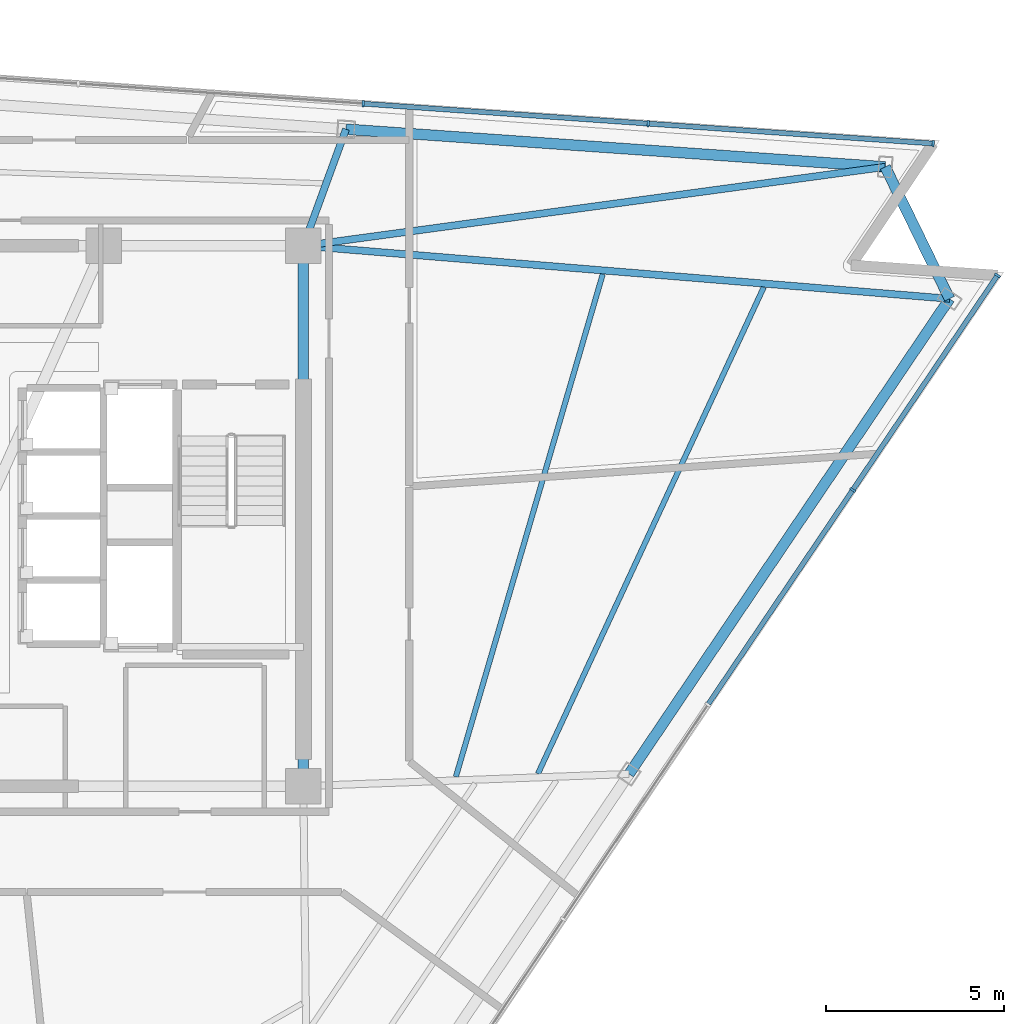
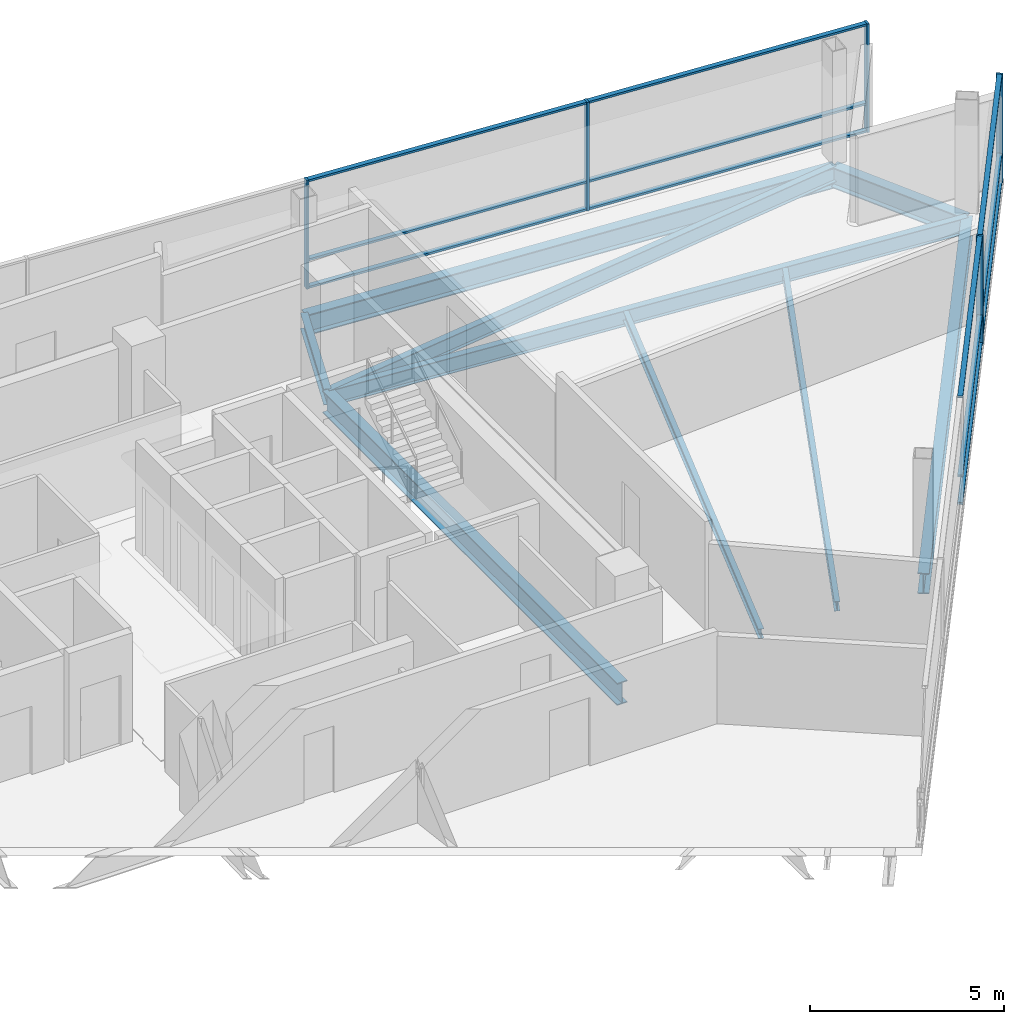
# One storey, part 7 of 14: 17 members, 9 beams, 2 elements without a shape of their own.
"""IFC4 building model written with IfcOpenShell, lengths in metres."""

from ifc_helpers import new_model, si_unit, direction, frame, origin, origin_2d, place, context, subcontext, project, spatial, rectangle, i_section, extrude, material, layer, layer_set, material_profile, profile_set, type_object, element, aggregate, save


model = new_model("IFC4")

# Units and contexts
model_context = context("Model", 3, precision=1e-05, world=origin(), true_north=direction((0.0, 1.0)))
body_context = subcontext(model_context, "Body", "Model", "MODEL_VIEW")
ifc_project = project(units=[si_unit("LENGTHUNIT", "METRE"), si_unit("AREAUNIT", "SQUARE_METRE"), si_unit("VOLUMEUNIT", "CUBIC_METRE"), si_unit("PLANEANGLEUNIT", "RADIAN"), si_unit("MASSUNIT", "GRAM", prefix="KILO")], contexts=[model_context])

# Site, building, storey
site_placement = place(None, origin())
site = spatial("IfcSite", under=ifc_project, at=site_placement, CompositionType="ELEMENT")
building_placement = place(site_placement, origin())
building = spatial("IfcBuilding", under=site, at=building_placement, Name="Tharavind Bronze Gate", CompositionType="ELEMENT")
storey_placement = place(building_placement, frame((0.0, 0.0, 245.050048828125)))
storey = spatial("IfcBuildingStorey", under=building, at=storey_placement, Name="L63", CompositionType="ELEMENT", Elevation=245.050048828125)

# Curtain wall, members
ifc_material_1 = material(Name="Anodised Bronze Aluminium", Category="aluminium")
ifc_layer = layer(ifc_material_1, 0.219970703125)
ifc_layer_set = layer_set([ifc_layer], Name="Anodised Bronze Aluminium")
curtain_wall_type = type_object("IfcCurtainWallType", Name="UNITISED CURTAIN WALL UPPER OFFICE", PredefinedType="USERDEFINED", material=ifc_layer_set)
curtain_wall_1_placement = place(storey_placement, origin())
curtain_wall_1 = element("IfcCurtainWall", 1, at=curtain_wall_1_placement, inside=storey, type_object=curtain_wall_type, Name="L63 unitised curtain wall upper office CW-L63-S2", ObjectType="UNITISED CURTAIN WALL", PredefinedType="USERDEFINED")
member_type_1 = type_object("IfcMemberType", Name="CURTAIN WALL BRONZE MULLION 65X180", PredefinedType="MULLION", material=ifc_material_1)
member_1_placement = place(storey_placement, frame((24.35791015625, 0.732177734375, 0.0), z_axis=(0.0, 0.0, 1.0), x_axis=(0.559192903471, 0.829037572555, 0.0)))
member_1 = element("IfcMember", 2, at=member_1_placement, type_object=member_type_1, Name="CW-L63-S2 mullion 7", PredefinedType="MULLION", context=body_context, shape_type="SweptSolid", body=[
    extrude(rectangle(XDim=0.06494140625, YDim=0.179931640625, at=origin_2d()), origin(), (0.0, 0.0, 1.0), 3.419921875),
])
member_2_placement = place(storey_placement, frame((28.430419921875, 6.77001953125, 0.0), z_axis=(0.0, 0.0, 1.0), x_axis=(0.559192903471, 0.829037572555, 0.0)))
member_2 = element("IfcMember", 3, at=member_2_placement, type_object=member_type_1, Name="CW-L63-S2 mullion 8", PredefinedType="MULLION", context=body_context, shape_type="SweptSolid", body=[
    extrude(rectangle(XDim=0.06494140625, YDim=0.179931640625, at=origin_2d()), origin(), (0.0, 0.0, 1.0), 3.419921875),
])

curtain_wall_2_placement = place(storey_placement, origin())
curtain_wall_2 = element("IfcCurtainWall", 4, at=curtain_wall_2_placement, inside=storey, type_object=curtain_wall_type, Name="L63 unitised curtain wall upper office CW-L63-S3", ObjectType="UNITISED CURTAIN WALL", PredefinedType="USERDEFINED")
member_3_placement = place(storey_placement, frame((26.620849609375, 10.480224609375, 0.0), z_axis=(0.0, 0.0, 1.0), x_axis=(-0.99756392851, 0.069758214822, 0.0)))
member_3 = element("IfcMember", 5, at=member_3_placement, type_object=member_type_1, Name="CW-L63-S3 mullion 1", PredefinedType="MULLION", context=body_context, shape_type="SweptSolid", body=[
    extrude(rectangle(XDim=0.06494140625, YDim=0.179931640625, at=origin_2d()), origin(), (0.0, 0.0, 1.0), 3.419921875),
])
member_4_placement = place(storey_placement, frame((18.602294921875, 11.041015625, 0.0), z_axis=(0.0, 0.0, 1.0), x_axis=(-0.99756392851, 0.069758214822, 0.0)))
member_4 = element("IfcMember", 6, at=member_4_placement, type_object=member_type_1, Name="CW-L63-S3 mullion 2", PredefinedType="MULLION", context=body_context, shape_type="SweptSolid", body=[
    extrude(rectangle(XDim=0.06494140625, YDim=0.179931640625, at=origin_2d()), origin(), (0.0, 0.0, 1.0), 3.419921875),
])
member_5_placement = place(storey_placement, frame((10.583984375, 11.6015625, 0.0), z_axis=(0.0, 0.0, 1.0), x_axis=(-0.99756392851, 0.069758214822, 0.0)))
member_5 = element("IfcMember", 7, at=member_5_placement, type_object=member_type_1, Name="CW-L63-S3 mullion 3", PredefinedType="MULLION", context=body_context, shape_type="SweptSolid", body=[
    extrude(rectangle(XDim=0.06494140625, YDim=0.179931640625, at=origin_2d()), origin(), (0.0, 0.0, 1.0), 3.419921875),
])

# Member
member_type_2 = type_object("IfcMemberType", Name="CURTAIN WALL BRONZE TRANSOM 65X140", PredefinedType="USERDEFINED", material=ifc_material_1)
member_6_placement = place(storey_placement, frame((22.321533203125, -2.28662109375, 0.0), z_axis=(0.0, 0.0, 1.0), x_axis=(0.559192903471, 0.829037572555, 0.0)))
member_6 = element("IfcMember", 8, at=member_6_placement, type_object=member_type_2, Name="CW-L63-S2 transom TB6", ObjectType="TRANSOM", PredefinedType="USERDEFINED", context=body_context, shape_type="SweptSolid", body=[
    extrude(rectangle(XDim=7.22998046875, YDim=0.139892578125, at=origin_2d()), origin(), (0.0, 0.0, 1.0), 0.06494140625),
])

member_7_placement = place(storey_placement, frame((22.321533203125, -2.28662109375, 0.867431640625), z_axis=(0.0, 0.0, 1.0), x_axis=(0.559192903471, 0.829037572555, 0.0)))
member_7 = element("IfcMember", 9, at=member_7_placement, type_object=member_type_2, Name="CW-L63-S2 transom TS6", ObjectType="TRANSOM", PredefinedType="USERDEFINED", context=body_context, shape_type="SweptSolid", body=[
    extrude(rectangle(XDim=7.22998046875, YDim=0.139892578125, at=origin_2d()), origin(), (0.0, 0.0, 1.0), 0.06494140625),
])

member_8_placement = place(storey_placement, frame((22.321533203125, -2.28662109375, 3.35498046875), z_axis=(0.0, 0.0, 1.0), x_axis=(0.559192903471, 0.829037572555, 0.0)))
member_8 = element("IfcMember", 10, at=member_8_placement, type_object=member_type_2, Name="CW-L63-S2 transom TT6", ObjectType="TRANSOM", PredefinedType="USERDEFINED", context=body_context, shape_type="SweptSolid", body=[
    extrude(rectangle(XDim=7.22998046875, YDim=0.139892578125, at=origin_2d()), origin(), (0.0, 0.0, 1.0), 0.06494140625),
])

member_9_placement = place(storey_placement, frame((26.39404296875, 3.751220703125, 0.0), z_axis=(0.0, 0.0, 1.0), x_axis=(0.559192903471, 0.829037572555, 0.0)))
member_9 = element("IfcMember", 11, at=member_9_placement, type_object=member_type_2, Name="CW-L63-S2 transom TB7", ObjectType="TRANSOM", PredefinedType="USERDEFINED", context=body_context, shape_type="SweptSolid", body=[
    extrude(rectangle(XDim=7.22998046875, YDim=0.139892578125, at=origin_2d()), origin(), (0.0, 0.0, 1.0), 0.06494140625),
])

member_10_placement = place(storey_placement, frame((26.39404296875, 3.751220703125, 0.867431640625), z_axis=(0.0, 0.0, 1.0), x_axis=(0.559192903471, 0.829037572555, 0.0)))
member_10 = element("IfcMember", 12, at=member_10_placement, type_object=member_type_2, Name="CW-L63-S2 transom TS7", ObjectType="TRANSOM", PredefinedType="USERDEFINED", context=body_context, shape_type="SweptSolid", body=[
    extrude(rectangle(XDim=7.22998046875, YDim=0.139892578125, at=origin_2d()), origin(), (0.0, 0.0, 1.0), 0.06494140625),
])

member_11_placement = place(storey_placement, frame((26.39404296875, 3.751220703125, 3.35498046875), z_axis=(0.0, 0.0, 1.0), x_axis=(0.559192903471, 0.829037572555, 0.0)))
member_11 = element("IfcMember", 13, at=member_11_placement, type_object=member_type_2, Name="CW-L63-S2 transom TT7", ObjectType="TRANSOM", PredefinedType="USERDEFINED", context=body_context, shape_type="SweptSolid", body=[
    extrude(rectangle(XDim=7.22998046875, YDim=0.139892578125, at=origin_2d()), origin(), (0.0, 0.0, 1.0), 0.06494140625),
])

aggregate(curtain_wall_1, [member_1, member_2, member_6, member_7, member_8, member_9, member_10, member_11])

member_12_placement = place(storey_placement, frame((22.611572265625, 10.760498046875, 0.0), z_axis=(0.0, 0.0, 1.0), x_axis=(-0.99756392851, 0.069758214822, 0.0)))
member_12 = element("IfcMember", 14, at=member_12_placement, type_object=member_type_2, Name="CW-L63-S3 transom TB1", ObjectType="TRANSOM", PredefinedType="USERDEFINED", context=body_context, shape_type="SweptSolid", body=[
    extrude(rectangle(XDim=7.985107421875, YDim=0.139892578125, at=origin_2d()), origin(), (0.0, 0.0, 1.0), 0.06494140625),
])

member_13_placement = place(storey_placement, frame((22.611572265625, 10.760498046875, 0.867431640625), z_axis=(0.0, 0.0, 1.0), x_axis=(-0.99756392851, 0.069758214822, 0.0)))
member_13 = element("IfcMember", 15, at=member_13_placement, type_object=member_type_2, Name="CW-L63-S3 transom TS1", ObjectType="TRANSOM", PredefinedType="USERDEFINED", context=body_context, shape_type="SweptSolid", body=[
    extrude(rectangle(XDim=7.985107421875, YDim=0.139892578125, at=origin_2d()), origin(), (0.0, 0.0, 1.0), 0.06494140625),
])

member_14_placement = place(storey_placement, frame((22.611572265625, 10.760498046875, 3.35498046875), z_axis=(0.0, 0.0, 1.0), x_axis=(-0.99756392851, 0.069758214822, 0.0)))
member_14 = element("IfcMember", 16, at=member_14_placement, type_object=member_type_2, Name="CW-L63-S3 transom TT1", ObjectType="TRANSOM", PredefinedType="USERDEFINED", context=body_context, shape_type="SweptSolid", body=[
    extrude(rectangle(XDim=7.985107421875, YDim=0.139892578125, at=origin_2d()), origin(), (0.0, 0.0, 1.0), 0.06494140625),
])

member_15_placement = place(storey_placement, frame((14.593017578125, 11.3212890625, 0.0), z_axis=(0.0, 0.0, 1.0), x_axis=(-0.99756392851, 0.069758214822, 0.0)))
member_15 = element("IfcMember", 17, at=member_15_placement, type_object=member_type_2, Name="CW-L63-S3 transom TB2", ObjectType="TRANSOM", PredefinedType="USERDEFINED", context=body_context, shape_type="SweptSolid", body=[
    extrude(rectangle(XDim=7.985107421875, YDim=0.139892578125, at=origin_2d()), origin(), (0.0, 0.0, 1.0), 0.06494140625),
])

member_16_placement = place(storey_placement, frame((14.593017578125, 11.3212890625, 0.867431640625), z_axis=(0.0, 0.0, 1.0), x_axis=(-0.99756392851, 0.069758214822, 0.0)))
member_16 = element("IfcMember", 18, at=member_16_placement, type_object=member_type_2, Name="CW-L63-S3 transom TS2", ObjectType="TRANSOM", PredefinedType="USERDEFINED", context=body_context, shape_type="SweptSolid", body=[
    extrude(rectangle(XDim=7.985107421875, YDim=0.139892578125, at=origin_2d()), origin(), (0.0, 0.0, 1.0), 0.06494140625),
])

member_17_placement = place(storey_placement, frame((14.593017578125, 11.3212890625, 3.35498046875), z_axis=(0.0, 0.0, 1.0), x_axis=(-0.99756392851, 0.069758214822, 0.0)))
member_17 = element("IfcMember", 19, at=member_17_placement, type_object=member_type_2, Name="CW-L63-S3 transom TT2", ObjectType="TRANSOM", PredefinedType="USERDEFINED", context=body_context, shape_type="SweptSolid", body=[
    extrude(rectangle(XDim=7.985107421875, YDim=0.139892578125, at=origin_2d()), origin(), (0.0, 0.0, 1.0), 0.06494140625),
])

aggregate(curtain_wall_2, [member_3, member_4, member_5, member_12, member_13, member_14, member_15, member_16, member_17])

# Beams
ifc_material_2 = material(Name="Steel S355", Category="steel")
ifc_material_profile_1 = material_profile(ifc_material_2, i_section(OverallWidth=0.300048828125, OverallDepth=0.64990234375, WebThickness=0.01611328125, FlangeThickness=0.031005859375, at=origin_2d()), Name="HE650B")
ifc_profile_set_1 = profile_set([ifc_material_profile_1], Name="Steel S355")
beam_type_1 = type_object("IfcBeamType", Name="PRIMARY GIRDER HE650B", PredefinedType="USERDEFINED", material=ifc_profile_set_1)
beam_1_placement = place(storey_placement, frame((18.06396484375, -7.2578125, -0.505126953125), z_axis=(0.559188128577, 0.829040793241, 0.0), x_axis=(-0.829040793241, 0.559188128577, 0.0)))
element("IfcBeam", 20, at=beam_1_placement, inside=storey, type_object=beam_type_1, Name="L63 primary girder he650b BM-L63-PRG07", ObjectType="GIRDER", PredefinedType="USERDEFINED", context=body_context, shape_type="SweptSolid", body=[
    extrude(i_section(OverallWidth=0.300048828125, OverallDepth=0.64990234375, WebThickness=0.01611328125, FlangeThickness=0.031005859375, at=origin_2d()), origin(), (0.0, 0.0, 1.0), 16.12744140625),
])
beam_2_placement = place(storey_placement, frame((27.082275390625, 6.112548828125, -0.505126953125), z_axis=(-0.438367699713, 0.898795727542, 0.0), x_axis=(-0.898795727542, -0.438367699713, 0.0)))
element("IfcBeam", 21, at=beam_2_placement, inside=storey, type_object=beam_type_1, Name="L63 primary girder he650b BM-L63-PRG08", ObjectType="GIRDER", PredefinedType="USERDEFINED", context=body_context, shape_type="SweptSolid", body=[
    extrude(i_section(OverallWidth=0.300048828125, OverallDepth=0.64990234375, WebThickness=0.01611328125, FlangeThickness=0.031005859375, at=origin_2d()), origin(), (0.0, 0.0, 1.0), 4.1279296875),
])
beam_3_placement = place(storey_placement, frame((25.272705078125, 9.82275390625, -0.505126953125), z_axis=(-0.997563917828, 0.069758367582, 0.0), x_axis=(-0.069758367582, -0.997563917828, 0.0)))
element("IfcBeam", 22, at=beam_3_placement, inside=storey, type_object=beam_type_1, Name="L63 primary girder he650b BM-L63-PRG09", ObjectType="GIRDER", PredefinedType="USERDEFINED", context=body_context, shape_type="SweptSolid", body=[
    extrude(i_section(OverallWidth=0.300048828125, OverallDepth=0.64990234375, WebThickness=0.01611328125, FlangeThickness=0.031005859375, at=origin_2d()), origin(), (0.0, 0.0, 1.0), 15.210205078125),
])
ifc_material_profile_2 = material_profile(ifc_material_2, i_section(OverallWidth=0.199951171875, OverallDepth=0.5, WebThickness=0.01025390625, FlangeThickness=0.01611328125, at=origin_2d()), Name="IPE500")
ifc_profile_set_2 = profile_set([ifc_material_profile_2], Name="Steel S355")
beam_type_2 = type_object("IfcBeamType", Name="PRIMARY GIRDER IPE500", PredefinedType="USERDEFINED", material=ifc_profile_set_2)
beam_4_placement = place(storey_placement, frame((27.082275390625, 6.112548828125, -0.429931640625), z_axis=(-0.996670048992, 0.081540256576, 0.0), x_axis=(-0.081540256576, -0.996670048992, 0.0)))
element("IfcBeam", 23, at=beam_4_placement, inside=storey, type_object=beam_type_2, Name="L63 primary girder ipe500 BM-L63-RAD08", ObjectType="GIRDER", PredefinedType="USERDEFINED", context=body_context, shape_type="SweptSolid", body=[
    extrude(i_section(OverallWidth=0.199951171875, OverallDepth=0.5, WebThickness=0.01025390625, FlangeThickness=0.01611328125, at=origin_2d()), origin(), (0.0, 0.0, 1.0), 18.2431640625),
])
beam_5_placement = place(storey_placement, frame((25.272705078125, 9.82275390625, -0.429931640625), z_axis=(-0.990911002209, -0.134519090469, 0.0), x_axis=(0.134519090469, -0.990911002209, 0.0)))
element("IfcBeam", 24, at=beam_5_placement, inside=storey, type_object=beam_type_2, Name="L63 primary girder ipe500 BM-L63-RAD09", ObjectType="GIRDER", PredefinedType="USERDEFINED", context=body_context, shape_type="SweptSolid", body=[
    extrude(i_section(OverallWidth=0.199951171875, OverallDepth=0.5, WebThickness=0.01025390625, FlangeThickness=0.01611328125, at=origin_2d()), origin(), (0.0, 0.0, 1.0), 16.52294921875),
])
beam_6_placement = place(storey_placement, frame((10.099609375, 10.8837890625, -0.429931640625), z_axis=(-0.343166887309, -0.939274447355, 0.0), x_axis=(0.939274447355, -0.343166887309, 0.0)))
element("IfcBeam", 25, at=beam_6_placement, inside=storey, type_object=beam_type_2, Name="L63 primary girder ipe500 BM-L63-RAD10", ObjectType="GIRDER", PredefinedType="USERDEFINED", context=body_context, shape_type="SweptSolid", body=[
    extrude(i_section(OverallWidth=0.199951171875, OverallDepth=0.5, WebThickness=0.01025390625, FlangeThickness=0.01611328125, at=origin_2d()), origin(), (0.0, 0.0, 1.0), 3.49609375),
])
ifc_material_profile_3 = material_profile(ifc_material_2, i_section(OverallWidth=0.300048828125, OverallDepth=0.699951171875, WebThickness=0.01708984375, FlangeThickness=0.031982421875, at=origin_2d()), Name="HE700B")
ifc_profile_set_3 = profile_set([ifc_material_profile_3], Name="Steel S355")
beam_type_3 = type_object("IfcBeamType", Name="RING GIRDER HE700B", PredefinedType="USERDEFINED", material=ifc_profile_set_3)
beam_7_placement = place(storey_placement, frame((8.89990234375, -7.60009765625, -0.530029296875), z_axis=(0.0, 1.0, 0.0), x_axis=(-1.0, 0.0, 0.0)))
element("IfcBeam", 26, at=beam_7_placement, inside=storey, type_object=beam_type_3, Name="L63 ring girder he700b BM-L63-CR3", ObjectType="GIRDER", PredefinedType="USERDEFINED", context=body_context, shape_type="SweptSolid", body=[
    extrude(i_section(OverallWidth=0.300048828125, OverallDepth=0.699951171875, WebThickness=0.01708984375, FlangeThickness=0.031982421875, at=origin_2d()), origin(), (0.0, 0.0, 1.0), 15.2001953125),
])
ifc_material_profile_4 = material_profile(ifc_material_2, i_section(OverallWidth=0.14990234375, OverallDepth=0.300048828125, WebThickness=0.007080078125, FlangeThickness=0.0107421875, at=origin_2d()), Name="IPE300")
ifc_profile_set_4 = profile_set([ifc_material_profile_4], Name="Steel S355")
beam_type_4 = type_object("IfcBeamType", Name="SECONDARY FLOOR JOIST IPE300", PredefinedType="JOIST", material=ifc_profile_set_4)
beam_8_placement = place(storey_placement, frame((13.19189453125, -7.335693359375, -0.330078125), z_axis=(0.280517905759, 0.959848792544, 0.0), x_axis=(-0.959848792544, 0.280517905759, 0.0)))
element("IfcBeam", 27, at=beam_8_placement, inside=storey, type_object=beam_type_4, Name="L63 secondary floor joist ipe300 BM-L63-JSTA07", PredefinedType="JOIST", context=body_context, shape_type="SweptSolid", body=[
    extrude(i_section(OverallWidth=0.14990234375, OverallDepth=0.300048828125, WebThickness=0.007080078125, FlangeThickness=0.0107421875, at=origin_2d()), origin(), (0.0, 0.0, 1.0), 14.733642578125),
])
beam_9_placement = place(storey_placement, frame((15.501220703125, -7.249755859375, -0.330078125), z_axis=(0.42102525581, 0.907048914872, 0.0), x_axis=(-0.907048914872, 0.42102525581, 0.0)))
element("IfcBeam", 28, at=beam_9_placement, inside=storey, type_object=beam_type_4, Name="L63 secondary floor joist ipe300 BM-L63-JSTB07", PredefinedType="JOIST", context=body_context, shape_type="SweptSolid", body=[
    extrude(i_section(OverallWidth=0.14990234375, OverallDepth=0.300048828125, WebThickness=0.007080078125, FlangeThickness=0.0107421875, at=origin_2d()), origin(), (0.0, 0.0, 1.0), 15.08837890625),
])

save(model, "model.ifc")
